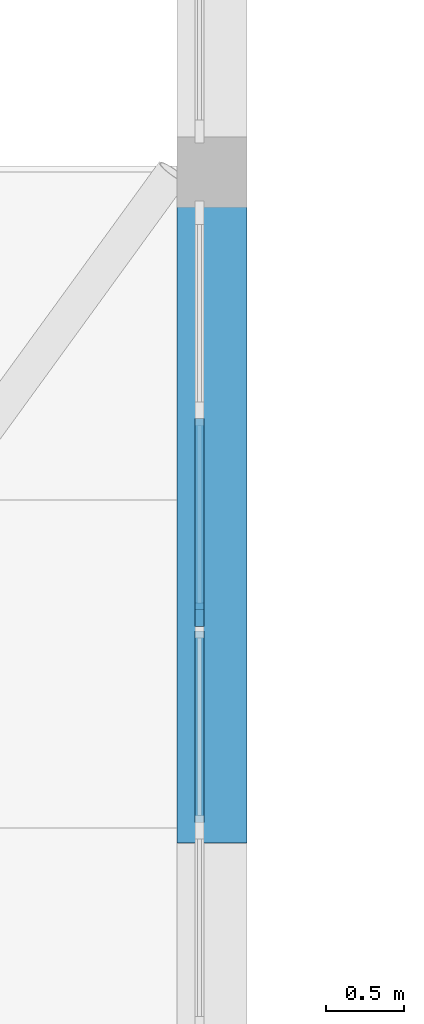
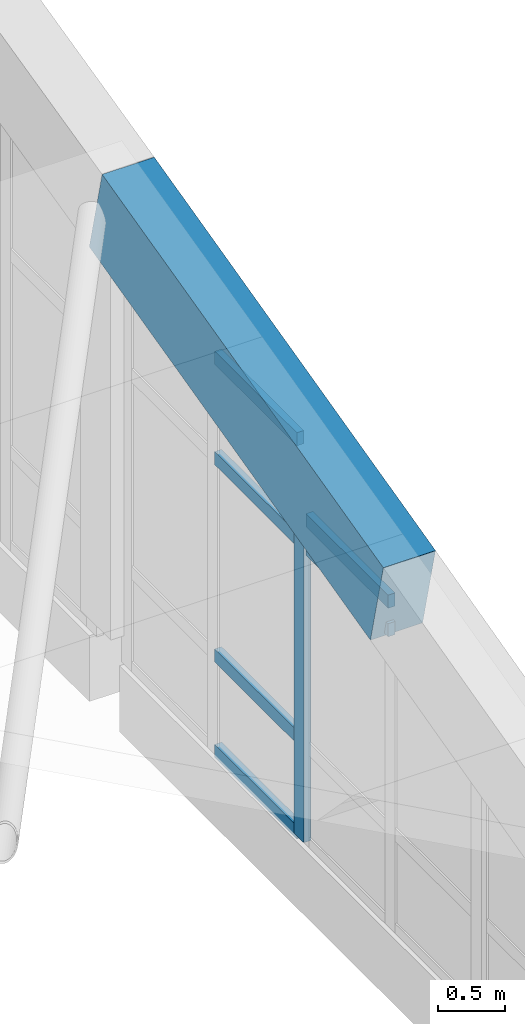
# One storey, part 5 of 78: 7 members, 1 beam, 2 elements without a shape of their own.
"""IFC4 building model written with IfcOpenShell, lengths in metres."""

import ifcopenshell
import ifcopenshell.guid

model = None  # the IFC model being written
_history = None  # IfcOwnerHistory: only IFC2X3 demands one
_inside = {}  # id of a spatial element -> (the spatial element, [elements in it])
_under = {}  # id of a project, library or spatial element -> (it, [spatial elements below it])
_declared = {}  # id of a project -> (the project, [libraries it declares])
_typed = {}  # id of a type object -> (the type object, [elements of that type])
_made_of = {}  # id of a material, layer set ... -> (it, [elements and type objects made of it])


def new_model(schema):
    """Start an empty IFC model of exactly this schema.

    Asked for "IFC4X3", IfcOpenShell would pick the latest addendum, in which some entities
    have other attributes; the version numbers below select the first issue.
    IFC2X3 requires an IfcOwnerHistory on every rooted entity: one is made here for all.
    """
    global model, _history
    if schema == "IFC4X3":
        model = ifcopenshell.file(schema_version=(4, 3, 0, 0))
    else:
        model = ifcopenshell.file(schema=schema)
    _inside.clear()
    _under.clear()
    _declared.clear()
    _typed.clear()
    _made_of.clear()
    _history = None
    if model.schema == "IFC2X3":
        org = make("IfcOrganization", Name="unknown")
        user = make(
            "IfcPersonAndOrganization",
            ThePerson=make("IfcPerson", FamilyName="unknown"),
            TheOrganization=org,
        )
        app = make(
            "IfcApplication",
            ApplicationDeveloper=org,
            Version="unknown",
            ApplicationFullName="unknown",
            ApplicationIdentifier="unknown",
        )
        _history = make(
            "IfcOwnerHistory",
            OwningUser=user,
            OwningApplication=app,
            ChangeAction="ADDED",
            CreationDate=0,
        )
    return model


def make(cls, **values):
    """One entity of the class cls with the attributes given. An attribute that is None is left unset."""
    return model.create_entity(
        cls, **{name: value for name, value in values.items() if value is not None}
    )


def rooted(cls, **values):
    """An entity with a GlobalId (a new one), such as an element, a storey or a relation."""
    return make(cls, GlobalId=ifcopenshell.guid.new(), OwnerHistory=_history, **values)


def si_unit(unit_type, name, prefix=None):
    """IfcSIUnit, for example si_unit("LENGTHUNIT", "METRE", prefix="MILLI")."""
    return make("IfcSIUnit", UnitType=unit_type, Prefix=prefix, Name=name)


def assignment(units):
    """IfcUnitAssignment: the units of a project."""
    return None if units is None else make("IfcUnitAssignment", Units=units)


def point(xyz):
    """IfcCartesianPoint."""
    return None if xyz is None else make("IfcCartesianPoint", Coordinates=xyz)


def direction(xyz):
    """IfcDirection."""
    return None if xyz is None else make("IfcDirection", DirectionRatios=xyz)


def frame(location, z_axis=None, x_axis=None):
    """IfcAxis2Placement3D, a coordinate frame: its origin and axes. An axis left out is left unset."""
    return make(
        "IfcAxis2Placement3D",
        Location=point(location),
        Axis=direction(z_axis),
        RefDirection=direction(x_axis),
    )


def frame_2d(location, x_axis=None):
    """IfcAxis2Placement2D, a coordinate frame in the plane: its origin and x axis."""
    return make(
        "IfcAxis2Placement2D", Location=point(location), RefDirection=direction(x_axis)
    )


def origin():
    """The frame at (0, 0, 0) with its axes left unset."""
    return frame((0.0, 0.0, 0.0))


def origin_2d():
    """The frame at (0, 0) in the plane with its x axis left unset."""
    return frame_2d((0.0, 0.0))


def place(relative_to, where):
    """IfcLocalPlacement: puts the frame where relative to a parent placement (None: the world)."""
    return make(
        "IfcLocalPlacement", PlacementRelTo=relative_to, RelativePlacement=where
    )


def context(
    kind, dimensions, precision=None, world=None, true_north=None, identifier=None
):
    """IfcGeometricRepresentationContext, for example the 3D "Model" context."""
    return make(
        "IfcGeometricRepresentationContext",
        ContextIdentifier=identifier,
        ContextType=kind,
        CoordinateSpaceDimension=dimensions,
        Precision=precision,
        WorldCoordinateSystem=world,
        TrueNorth=true_north,
    )


def subcontext(parent, identifier, kind, view, scale=None):
    """IfcGeometricRepresentationSubContext, for example "Body" below "Model"."""
    return make(
        "IfcGeometricRepresentationSubContext",
        ContextIdentifier=identifier,
        ContextType=kind,
        ParentContext=parent,
        TargetScale=scale,
        TargetView=view,
    )


def project(units=None, contexts=None):
    """IfcProject with its units and contexts."""
    return rooted(
        "IfcProject",
        Name="project",
        RepresentationContexts=contexts,
        UnitsInContext=assignment(units),
    )


def spatial(cls, under=None, at=None, **own):
    """A site, building, storey or space (cls), placed at a placement, below another one or the project."""
    s = rooted(cls, ObjectPlacement=at, **own)
    if under is not None:
        _under.setdefault(under.id(), (under, []))[1].append(s)
    return s


def profile(cls, at=None, kind="AREA", **sizes):
    """A parametric profile (cls). Its sizes go by their IFC names, for example OverallWidth=200.0."""
    return make(cls, ProfileType=kind, Position=at, **sizes)


def rectangle(**sizes):
    """IfcRectangleProfileDef."""
    return profile("IfcRectangleProfileDef", **sizes)


def extrude(swept, where, along, depth):
    """IfcExtrudedAreaSolid: the profile swept, set in the frame where, extruded along a direction by depth."""
    return make(
        "IfcExtrudedAreaSolid",
        SweptArea=swept,
        Position=where,
        ExtrudedDirection=direction(along),
        Depth=depth,
    )


def shape(context_of_items, identifier, shape_type, items):
    """IfcShapeRepresentation: the items that make up one representation, for example the "Body"."""
    return make(
        "IfcShapeRepresentation",
        ContextOfItems=context_of_items,
        RepresentationIdentifier=identifier,
        RepresentationType=shape_type,
        Items=items,
    )


def material(Name=None, Category=None):
    """IfcMaterial."""
    return make("IfcMaterial", Name=Name, Category=Category)


def material_profile(
    of_material, cross_section, Name=None, Category=None, Priority=None
):
    """IfcMaterialProfile: a cross section and its material."""
    return make(
        "IfcMaterialProfile",
        Name=Name,
        Material=of_material,
        Profile=cross_section,
        Priority=Priority,
        Category=Category,
    )


def profile_set(profiles, Name=None, composite=None):
    """IfcMaterialProfileSet."""
    return make(
        "IfcMaterialProfileSet",
        Name=Name,
        MaterialProfiles=profiles,
        CompositeProfile=composite,
    )


def made_of(thing, what):
    """Note that an element or type object is made of a material, layer set ...; save() writes the relation."""
    if what is not None:
        _made_of.setdefault(what.id(), (what, []))[1].append(thing)
    return thing


def type_object(cls, material=None, **own):
    """A type object (cls), such as IfcWallType, which elements share."""
    return made_of(rooted(cls, **own), material)


def element(
    cls,
    number,
    at=None,
    inside=None,
    cuts=None,
    type_object=None,
    material=None,
    context=None,
    identifier="Body",
    shape_type=None,
    held_by="IfcProductDefinitionShape",
    body=None,
    shapes=None,
    **own,
):
    """One element of the class cls, such as IfcWall. Its Tag is "e" and its number.

    at: its placement. inside: the storey or other place that contains it. cuts: it is an
    opening in that element (IfcRelVoidsElement). A single representation is given by context,
    identifier, shape_type and body (its items); several are given by shapes. held_by: the class
    of the entity that holds the representations. save() writes the other relations.
    """
    e = rooted(cls, Tag="e%d" % number, ObjectPlacement=at, **own)
    if body is not None:
        shapes = [shape(context, identifier, shape_type, body)]
    if shapes is not None:
        e.Representation = make(held_by, Representations=shapes)
    if inside is not None:
        _inside.setdefault(inside.id(), (inside, []))[1].append(e)
    if cuts is not None:
        rooted(
            "IfcRelVoidsElement", RelatingBuildingElement=cuts, RelatedOpeningElement=e
        )
    if type_object is not None:
        _typed.setdefault(type_object.id(), (type_object, []))[1].append(e)
    return made_of(e, material)


def aggregate(whole, parts):
    """IfcRelAggregates: a whole, such as a stair, and the parts it consists of."""
    return rooted("IfcRelAggregates", RelatingObject=whole, RelatedObjects=parts)


def save(model, path):
    """Write the relations noted so far, then the file.

    IfcRelAggregates (storeys below a building ...), IfcRelContainedInSpatialStructure (elements
    in a storey), IfcRelDefinesByType, IfcRelAssociatesMaterial and IfcRelDeclares: one each for
    every whole, place, type object, material and project.
    """
    for whole, parts in _under.values():
        aggregate(whole, parts)
    for where, things in _inside.values():
        rooted(
            "IfcRelContainedInSpatialStructure",
            RelatedElements=things,
            RelatingStructure=where,
        )
    for kind, things in _typed.values():
        rooted("IfcRelDefinesByType", RelatedObjects=things, RelatingType=kind)
    for what, things in _made_of.values():
        rooted("IfcRelAssociatesMaterial", RelatedObjects=things, RelatingMaterial=what)
    for by, libraries in _declared.values():
        rooted("IfcRelDeclares", RelatingContext=by, RelatedDefinitions=libraries)
    model.write(path)


model = new_model("IFC4")

# Units and contexts
model_context = context("Model", 3, precision=1e-05, world=origin(), true_north=direction((0.0, 1.0)))
body_context = subcontext(model_context, "Body", "Model", "MODEL_VIEW")
ifc_project = project(units=[si_unit("LENGTHUNIT", "METRE"), si_unit("AREAUNIT", "SQUARE_METRE"), si_unit("VOLUMEUNIT", "CUBIC_METRE"), si_unit("PLANEANGLEUNIT", "RADIAN"), si_unit("MASSUNIT", "GRAM", prefix="KILO")], contexts=[model_context])

# Site, building, storey
site_placement = place(None, origin())
site = spatial("IfcSite", under=ifc_project, at=site_placement, CompositionType="ELEMENT")
building_placement = place(site_placement, origin())
building = spatial("IfcBuilding", under=site, at=building_placement, Name="Qaldarim Faculty of Natural and Applied Sciences", CompositionType="ELEMENT")
storey_placement = place(building_placement, frame((0.0, 0.0, 18.60009765625)))
storey = spatial("IfcBuildingStorey", under=building, at=storey_placement, Name="L04", CompositionType="ELEMENT", Elevation=18.60009765625)

# Curtain wall, member
ifc_material_1 = material(Name="Anodised aluminium AW-6063", Category="aluminium")
curtain_wall_type = type_object("IfcCurtainWallType", Name="CurtainWallSystem-M1300", PredefinedType="USERDEFINED", material=ifc_material_1)
curtain_wall_1_placement = place(storey_placement, origin())
curtain_wall_1 = element("IfcCurtainWall", 1, at=curtain_wall_1_placement, inside=storey, type_object=curtain_wall_type, Name="Curtain wall CW-GABLE-L04-E-Y04-3", ObjectType="STICK CURTAIN WALL", PredefinedType="USERDEFINED")
ifc_material_profile_1 = material_profile(ifc_material_1, rectangle(XDim=0.06005859375, YDim=0.14990234375, at=origin_2d()), Name="ALU-M60x150")
ifc_profile_set_1 = profile_set([ifc_material_profile_1], Name="Anodised aluminium AW-6063")
member_type_1 = type_object("IfcMemberType", Name="Mullion-ALU60x150", PredefinedType="MULLION", material=ifc_profile_set_1)
member_1_placement = place(storey_placement, frame((46.1201171875, 30.764892578125, -0.260009765625), z_axis=(0.0, 0.0, 1.0), x_axis=(-1.0, 0.0, 0.0)))
member_1 = element("IfcMember", 2, at=member_1_placement, type_object=member_type_1, Name="Mullion 1 of CW-GABLE-L04-E-Y04-3", PredefinedType="MULLION", context=body_context, shape_type="SweptSolid", body=[
    extrude(rectangle(XDim=0.06005859375, YDim=0.14990234375, at=origin_2d()), origin(), (0.0, 0.0, 1.0), 3.64501953125),
])

# Beam
ifc_material_2 = material(Name="Concrete C50/60", Category="concrete")
ifc_material_profile_2 = material_profile(ifc_material_2, rectangle(XDim=0.449951171875, YDim=0.800048828125, at=origin_2d()), Name="RC-RIB450x800")
ifc_profile_set_2 = profile_set([ifc_material_profile_2], Name="Concrete C50/60")
beam_type = type_object("IfcBeamType", Name="ShellArchRib-RC450x800", PredefinedType="BEAM", material=ifc_profile_set_2)
beam_placement = place(storey_placement, frame((46.199951171875, 29.39990234375, 2.739990234375), z_axis=(0.0, 0.970697526179, 0.240304624738), x_axis=(-1.0, 0.0, 0.0)))
element("IfcBeam", 3, at=beam_placement, inside=storey, type_object=beam_type, Name="Shell arch rib 8 S segment 4", PredefinedType="BEAM", context=body_context, shape_type="SweptSolid", body=[
    extrude(rectangle(XDim=0.449951171875, YDim=0.800048828125, at=origin_2d()), origin(), (0.0, 0.0, 1.0), 4.326904296875),
])

# Curtain wall, members
curtain_wall_2_placement = place(storey_placement, origin())
curtain_wall_2 = element("IfcCurtainWall", 4, at=curtain_wall_2_placement, inside=storey, type_object=curtain_wall_type, Name="Curtain wall CW-GABLE-L04-E-Y04-2", ObjectType="STICK CURTAIN WALL", PredefinedType="USERDEFINED")
ifc_material_profile_3 = material_profile(ifc_material_1, rectangle(XDim=0.06005859375, YDim=0.1201171875, at=origin_2d()), Name="ALU-T60x120")
ifc_profile_set_3 = profile_set([ifc_material_profile_3], Name="Anodised aluminium AW-6063")
member_type_2 = type_object("IfcMemberType", Name="Transom-ALU60x120", PredefinedType="USERDEFINED", material=ifc_profile_set_3)
member_2_placement = place(storey_placement, frame((46.1201171875, 29.4326171875, 2.43994140625), z_axis=(0.0, 1.0, 0.0), x_axis=(-1.0, 0.0, 0.0)))
member_2 = element("IfcMember", 5, at=member_2_placement, type_object=member_type_2, Name="Transom 2-3 of CW-GABLE-L04-E-Y04-2", ObjectType="TRANSOM", PredefinedType="USERDEFINED", context=body_context, shape_type="SweptSolid", body=[
    extrude(rectangle(XDim=0.06005859375, YDim=0.1201171875, at=origin_2d()), origin(), (0.0, 0.0, 1.0), 1.227294921875),
])
member_3_placement = place(storey_placement, frame((46.1201171875, 29.4326171875, 2.699951171875), z_axis=(0.0, 1.0, 0.0), x_axis=(-1.0, 0.0, 0.0)))
member_3 = element("IfcMember", 6, at=member_3_placement, type_object=member_type_2, Name="Transom 2-4 of CW-GABLE-L04-E-Y04-2", ObjectType="TRANSOM", PredefinedType="USERDEFINED", context=body_context, shape_type="SweptSolid", body=[
    extrude(rectangle(XDim=0.06005859375, YDim=0.1201171875, at=origin_2d()), origin(), (0.0, 0.0, 1.0), 1.227294921875),
])
aggregate(curtain_wall_2, [member_2, member_3])

# Member
member_4_placement = place(storey_placement, frame((46.1201171875, 30.794921875, -0.22998046875), z_axis=(0.0, 1.0, 0.0), x_axis=(-1.0, 0.0, 0.0)))
member_4 = element("IfcMember", 7, at=member_4_placement, type_object=member_type_2, Name="Transom 1-1 of CW-GABLE-L04-E-Y04-3", ObjectType="TRANSOM", PredefinedType="USERDEFINED", context=body_context, shape_type="SweptSolid", body=[
    extrude(rectangle(XDim=0.06005859375, YDim=0.1201171875, at=origin_2d()), origin(), (0.0, 0.0, 1.0), 1.2275390625),
])

member_5_placement = place(storey_placement, frame((46.1201171875, 30.794921875, 0.639892578125), z_axis=(0.0, 1.0, 0.0), x_axis=(-1.0, 0.0, 0.0)))
member_5 = element("IfcMember", 8, at=member_5_placement, type_object=member_type_2, Name="Transom 1-2 of CW-GABLE-L04-E-Y04-3", ObjectType="TRANSOM", PredefinedType="USERDEFINED", context=body_context, shape_type="SweptSolid", body=[
    extrude(rectangle(XDim=0.06005859375, YDim=0.1201171875, at=origin_2d()), origin(), (0.0, 0.0, 1.0), 1.2275390625),
])

member_6_placement = place(storey_placement, frame((46.1201171875, 30.794921875, 2.43994140625), z_axis=(0.0, 1.0, 0.0), x_axis=(-1.0, 0.0, 0.0)))
member_6 = element("IfcMember", 9, at=member_6_placement, type_object=member_type_2, Name="Transom 1-3 of CW-GABLE-L04-E-Y04-3", ObjectType="TRANSOM", PredefinedType="USERDEFINED", context=body_context, shape_type="SweptSolid", body=[
    extrude(rectangle(XDim=0.06005859375, YDim=0.1201171875, at=origin_2d()), origin(), (0.0, 0.0, 1.0), 1.2275390625),
])

member_7_placement = place(storey_placement, frame((46.1201171875, 30.794921875, 3.35498046875), z_axis=(0.0, 1.0, 0.0), x_axis=(-1.0, 0.0, 0.0)))
member_7 = element("IfcMember", 10, at=member_7_placement, type_object=member_type_2, Name="Transom 1-4 of CW-GABLE-L04-E-Y04-3", ObjectType="TRANSOM", PredefinedType="USERDEFINED", context=body_context, shape_type="SweptSolid", body=[
    extrude(rectangle(XDim=0.06005859375, YDim=0.1201171875, at=origin_2d()), origin(), (0.0, 0.0, 1.0), 1.2275390625),
])

aggregate(curtain_wall_1, [member_1, member_4, member_5, member_6, member_7])

save(model, "model.ifc")
